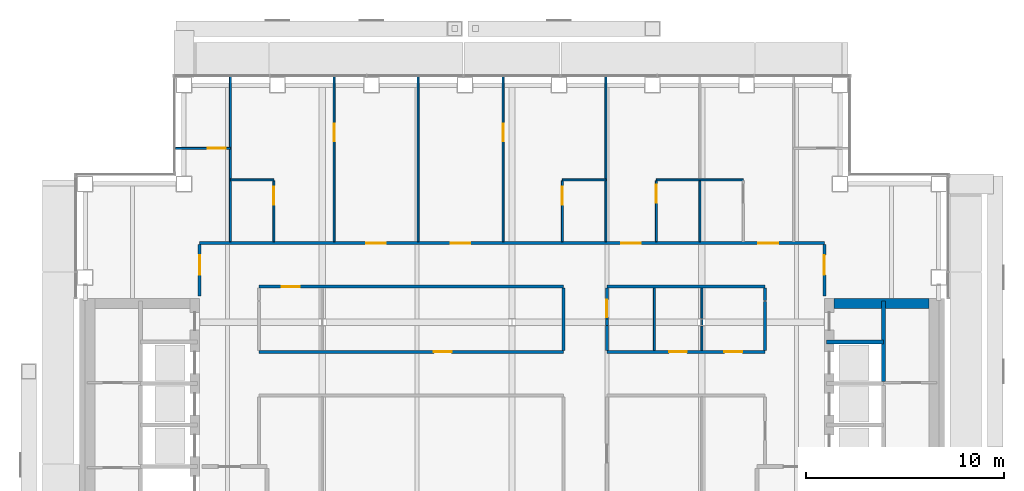
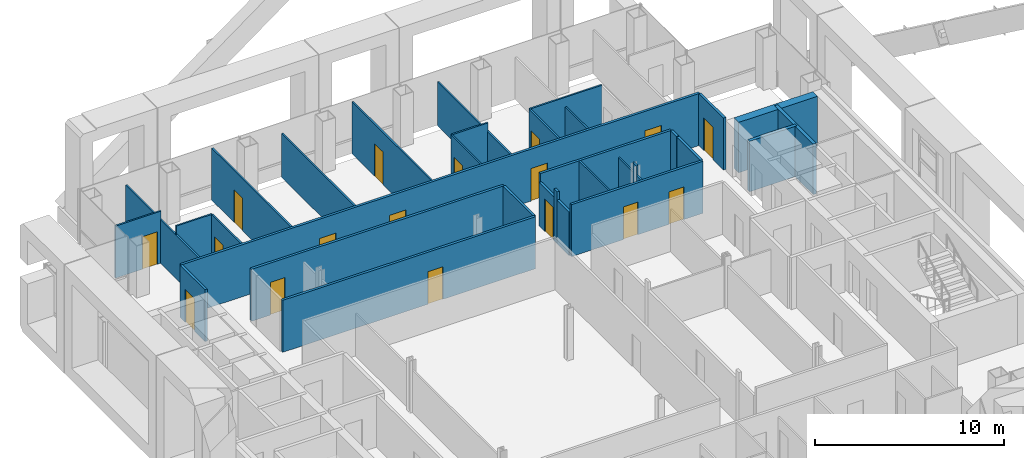
# One storey, part 15 of 22: 33 walls, 17 doors, 17 openings.
"""IFC4 building model written with IfcOpenShell, lengths in metres."""

from ifc_helpers import new_model, si_unit, direction, frame, frame_2d, origin, place, context, subcontext, project, spatial, rectangle, extrude, material, layer, layer_set, type_object, element, fill, save


model = new_model("IFC4")

# Units and contexts
model_context = context("Model", 3, precision=1e-05, world=origin(), true_north=direction((0.0, 1.0)))
body_context = subcontext(model_context, "Body", "Model", "MODEL_VIEW")
ifc_project = project(units=[si_unit("LENGTHUNIT", "METRE"), si_unit("AREAUNIT", "SQUARE_METRE"), si_unit("VOLUMEUNIT", "CUBIC_METRE"), si_unit("PLANEANGLEUNIT", "RADIAN"), si_unit("MASSUNIT", "GRAM", prefix="KILO")], contexts=[model_context])

# Site, building, storey
site_placement = place(None, origin())
site = spatial("IfcSite", under=ifc_project, at=site_placement, CompositionType="ELEMENT")
building_placement = place(site_placement, origin())
building = spatial("IfcBuilding", under=site, at=building_placement, Name="Cobrizo Arcos Hotel Tower", CompositionType="ELEMENT")
storey_placement = place(building_placement, frame((0.0, 0.0, 155.0)))
storey = spatial("IfcBuildingStorey", under=building, at=storey_placement, Name="L39", CompositionType="ELEMENT", Elevation=155.0)

# Wall, opening, door
ifc_material_1 = material(Name="Gypsum board partition")
ifc_layer_1 = layer(ifc_material_1, 0.14990234375)
ifc_layer_set_1 = layer_set([ifc_layer_1], Name="Corridor wall EI 60 150")
wall_type_1 = type_object("IfcWallType", Name="Corridor wall EI 60 150", PredefinedType="PARTITIONING", material=ifc_layer_set_1)
wall_1_placement = place(storey_placement, frame((-12.800048828125, 8.10009765625, 0.0), z_axis=(0.0, 0.0, 1.0), x_axis=(1.0, 0.0, 0.0)))
wall_1 = element("IfcWall", 1, at=wall_1_placement, inside=storey, type_object=wall_type_1, Name="Partition 035", PredefinedType="PARTITIONING", context=body_context, shape_type="SweptSolid", body=[
    extrude(rectangle(XDim=15.400146484375, YDim=0.14990234375, at=frame_2d((7.7001953125, 0.0))), origin(), (0.0, 0.0, 1.0), 3.35009765625),
])
opening_1_placement = place(wall_1_placement, frame((8.85009765625, 0.0, 0.0)))
opening_1 = element("IfcOpeningElement", 2, at=opening_1_placement, cuts=wall_1, Name="Opening RD-16", PredefinedType="OPENING", context=body_context, shape_type="SweptSolid", body=[
    extrude(rectangle(XDim=0.89990234375, YDim=2.10009765625, at=frame_2d((0.449951171875, 1.050048828125))), frame((0.0, 0.0869140625, 0.0), z_axis=(0.0, -1.0, 0.0), x_axis=(1.0, 0.0, 0.0)), (0.0, 0.0, 1.0), 0.173828125),
])
ifc_material_2 = material(Name="Timber door leaf", Category="wood")
door_type_1 = type_object("IfcDoorType", Name="Room door FD30 900x2100", OperationType="SINGLE_SWING_LEFT", PredefinedType="DOOR", material=ifc_material_2)
door_1_placement = place(opening_1_placement, origin())
door_1 = element("IfcDoor", 3, at=door_1_placement, inside=storey, type_object=door_type_1, Name="Door RD-16", OperationType="SINGLE_SWING_LEFT", OverallHeight=2.10009765625, OverallWidth=0.89990234375, PredefinedType="DOOR", context=body_context, shape_type="SweptSolid", body=[
    extrude(rectangle(XDim=0.89990234375, YDim=2.10009765625, at=frame_2d((0.449951171875, 1.050048828125))), frame((0.0, 0.02490234375, 0.0), z_axis=(0.0, -1.0, 0.0), x_axis=(1.0, 0.0, 0.0)), (0.0, 0.0, 1.0), 0.050048828125),
])
fill(opening_1, door_1)

# Wall, openings, doors
wall_2_placement = place(storey_placement, frame((4.800048828125, 8.10009765625, 0.0), z_axis=(0.0, 0.0, 1.0), x_axis=(1.0, 0.0, 0.0)))
wall_2 = element("IfcWall", 4, at=wall_2_placement, inside=storey, type_object=wall_type_1, Name="Partition 036", PredefinedType="PARTITIONING", context=body_context, shape_type="SweptSolid", body=[
    extrude(rectangle(XDim=8.0, YDim=0.14990234375, at=frame_2d((4.0, 0.0))), origin(), (0.0, 0.0, 1.0), 3.35009765625),
])
opening_2_placement = place(wall_2_placement, frame((5.949951171875, 0.0, 0.0)))
opening_2 = element("IfcOpeningElement", 5, at=opening_2_placement, cuts=wall_2, Name="Opening RD-11", PredefinedType="OPENING", context=body_context, shape_type="SweptSolid", body=[
    extrude(rectangle(XDim=0.89990234375, YDim=2.10009765625, at=frame_2d((0.449951171875, 1.050048828125))), frame((0.0, 0.0869140625, 0.0), z_axis=(0.0, -1.0, 0.0), x_axis=(1.0, 0.0, 0.0)), (0.0, 0.0, 1.0), 0.173828125),
])
opening_3_placement = place(wall_2_placement, frame((3.14990234375, 0.0, 0.0)))
opening_3 = element("IfcOpeningElement", 6, at=opening_3_placement, cuts=wall_2, Name="Opening ED-15", PredefinedType="OPENING", context=body_context, shape_type="SweptSolid", body=[
    extrude(rectangle(XDim=0.89990234375, YDim=2.10009765625, at=frame_2d((0.449951171875, 1.050048828125))), frame((0.0, 0.0869140625, 0.0), z_axis=(0.0, -1.0, 0.0), x_axis=(1.0, 0.0, 0.0)), (0.0, 0.0, 1.0), 0.173828125),
])
door_type_2 = type_object("IfcDoorType", Name="En-suite door 900x2100", OperationType="SINGLE_SWING_LEFT", PredefinedType="DOOR", material=ifc_material_2)
door_2_placement = place(opening_3_placement, origin())
door_2 = element("IfcDoor", 7, at=door_2_placement, inside=storey, type_object=door_type_2, Name="Door ED-15", OperationType="SINGLE_SWING_LEFT", OverallHeight=2.10009765625, OverallWidth=0.89990234375, PredefinedType="DOOR", context=body_context, shape_type="SweptSolid", body=[
    extrude(rectangle(XDim=0.89990234375, YDim=2.10009765625, at=frame_2d((0.449951171875, 1.050048828125))), frame((0.0, 0.02490234375, 0.0), z_axis=(0.0, -1.0, 0.0), x_axis=(1.0, 0.0, 0.0)), (0.0, 0.0, 1.0), 0.050048828125),
])
fill(opening_3, door_2)
door_3_placement = place(opening_2_placement, origin())
door_3 = element("IfcDoor", 8, at=door_3_placement, inside=storey, type_object=door_type_1, Name="Door RD-11", OperationType="SINGLE_SWING_LEFT", OverallHeight=2.10009765625, OverallWidth=0.89990234375, PredefinedType="DOOR", context=body_context, shape_type="SweptSolid", body=[
    extrude(rectangle(XDim=0.89990234375, YDim=2.10009765625, at=frame_2d((0.449951171875, 1.050048828125))), frame((0.0, 0.02490234375, 0.0), z_axis=(0.0, -1.0, 0.0), x_axis=(1.0, 0.0, 0.0)), (0.0, 0.0, 1.0), 0.050048828125),
])
fill(opening_2, door_3)

# Wall, opening, door
wall_3_placement = place(storey_placement, frame((-12.800048828125, 11.39990234375, 0.0), z_axis=(0.0, 0.0, 1.0), x_axis=(1.0, 0.0, 0.0)))
wall_3 = element("IfcWall", 9, at=wall_3_placement, inside=storey, type_object=wall_type_1, Name="Partition 039", PredefinedType="PARTITIONING", context=body_context, shape_type="SweptSolid", body=[
    extrude(rectangle(XDim=15.400146484375, YDim=0.14990234375, at=frame_2d((7.7001953125, 0.0))), origin(), (0.0, 0.0, 1.0), 3.35009765625),
])
opening_4_placement = place(wall_3_placement, frame((1.14990234375, 0.0, 0.0)))
opening_4 = element("IfcOpeningElement", 10, at=opening_4_placement, cuts=wall_3, Name="Opening RD-12", PredefinedType="OPENING", context=body_context, shape_type="SweptSolid", body=[
    extrude(rectangle(XDim=0.89990234375, YDim=2.10009765625, at=frame_2d((0.449951171875, 1.050048828125))), frame((0.0, 0.0869140625, 0.0), z_axis=(0.0, -1.0, 0.0), x_axis=(1.0, 0.0, 0.0)), (0.0, 0.0, 1.0), 0.173828125),
])
door_4_placement = place(opening_4_placement, origin())
door_4 = element("IfcDoor", 11, at=door_4_placement, inside=storey, type_object=door_type_1, Name="Door RD-12", OperationType="SINGLE_SWING_LEFT", OverallHeight=2.10009765625, OverallWidth=0.89990234375, PredefinedType="DOOR", context=body_context, shape_type="SweptSolid", body=[
    extrude(rectangle(XDim=0.89990234375, YDim=2.10009765625, at=frame_2d((0.449951171875, 1.050048828125))), frame((0.0, 0.02490234375, 0.0), z_axis=(0.0, -1.0, 0.0), x_axis=(1.0, 0.0, 0.0)), (0.0, 0.0, 1.0), 0.050048828125),
])
fill(opening_4, door_4)

# Wall
wall_4_placement = place(storey_placement, frame((4.800048828125, 11.39990234375, 0.0), z_axis=(0.0, 0.0, 1.0), x_axis=(1.0, 0.0, 0.0)))
element("IfcWall", 12, at=wall_4_placement, inside=storey, type_object=wall_type_1, Name="Partition 040", PredefinedType="PARTITIONING", context=body_context, shape_type="SweptSolid", body=[
    extrude(rectangle(XDim=8.0, YDim=0.14990234375, at=frame_2d((4.0, 0.0))), origin(), (0.0, 0.0, 1.0), 3.35009765625),
])

# Wall, openings, doors
wall_5_placement = place(storey_placement, frame((-15.800048828125, 13.60009765625, 0.0), z_axis=(0.0, 0.0, 1.0), x_axis=(1.0, 0.0, 0.0)))
wall_5 = element("IfcWall", 13, at=wall_5_placement, inside=storey, type_object=wall_type_1, Name="Partition 041", PredefinedType="PARTITIONING", context=body_context, shape_type="SweptSolid", body=[
    extrude(rectangle(XDim=31.60009765625, YDim=0.14990234375, at=frame_2d((15.800048828125, 0.0))), origin(), (0.0, 0.0, 1.0), 3.35009765625),
])
opening_5_placement = place(wall_5_placement, frame((8.422119140625, 0.0, 0.0)))
opening_5 = element("IfcOpeningElement", 14, at=opening_5_placement, cuts=wall_5, Name="Opening GD-01", PredefinedType="OPENING", context=body_context, shape_type="SweptSolid", body=[
    extrude(rectangle(XDim=1.0, YDim=2.10009765625, at=frame_2d((0.5, 1.050048828125))), frame((0.0, 0.0869140625, 0.0), z_axis=(0.0, -1.0, 0.0), x_axis=(1.0, 0.0, 0.0)), (0.0, 0.0, 1.0), 0.173828125),
])
opening_6_placement = place(wall_5_placement, frame((12.69189453125, 0.0, 0.0)))
opening_6 = element("IfcOpeningElement", 15, at=opening_6_placement, cuts=wall_5, Name="Opening GD-02", PredefinedType="OPENING", context=body_context, shape_type="SweptSolid", body=[
    extrude(rectangle(XDim=1.0, YDim=2.10009765625, at=frame_2d((0.5, 1.050048828125))), frame((0.0, 0.0869140625, 0.0), z_axis=(0.0, -1.0, 0.0), x_axis=(1.0, 0.0, 0.0)), (0.0, 0.0, 1.0), 0.173828125),
])
opening_7_placement = place(wall_5_placement, frame((21.31494140625, 0.0, 0.0)))
opening_7 = element("IfcOpeningElement", 16, at=opening_7_placement, cuts=wall_5, Name="Opening GD-03", PredefinedType="OPENING", context=body_context, shape_type="SweptSolid", body=[
    extrude(rectangle(XDim=1.0, YDim=2.10009765625, at=frame_2d((0.5, 1.050048828125))), frame((0.0, 0.0869140625, 0.0), z_axis=(0.0, -1.0, 0.0), x_axis=(1.0, 0.0, 0.0)), (0.0, 0.0, 1.0), 0.173828125),
])
opening_8_placement = place(wall_5_placement, frame((28.258056640625, 0.0, 0.0)))
opening_8 = element("IfcOpeningElement", 17, at=opening_8_placement, cuts=wall_5, Name="Opening GD-04", PredefinedType="OPENING", context=body_context, shape_type="SweptSolid", body=[
    extrude(rectangle(XDim=1.0, YDim=2.10009765625, at=frame_2d((0.5, 1.050048828125))), frame((0.0, 0.0869140625, 0.0), z_axis=(0.0, -1.0, 0.0), x_axis=(1.0, 0.0, 0.0)), (0.0, 0.0, 1.0), 0.173828125),
])
door_type_3 = type_object("IfcDoorType", Name="Guest room door FD30S 1000x2100", OperationType="SINGLE_SWING_LEFT", PredefinedType="DOOR", material=ifc_material_2)
door_5_placement = place(opening_5_placement, origin())
door_5 = element("IfcDoor", 18, at=door_5_placement, inside=storey, type_object=door_type_3, Name="Door GD-01", OperationType="SINGLE_SWING_LEFT", OverallHeight=2.10009765625, OverallWidth=1.0, PredefinedType="DOOR", context=body_context, shape_type="SweptSolid", body=[
    extrude(rectangle(XDim=1.0, YDim=2.10009765625, at=frame_2d((0.5, 1.050048828125))), frame((0.0, 0.02490234375, 0.0), z_axis=(0.0, -1.0, 0.0), x_axis=(1.0, 0.0, 0.0)), (0.0, 0.0, 1.0), 0.050048828125),
])
fill(opening_5, door_5)
door_6_placement = place(opening_6_placement, origin())
door_6 = element("IfcDoor", 19, at=door_6_placement, inside=storey, type_object=door_type_3, Name="Door GD-02", OperationType="SINGLE_SWING_RIGHT", OverallHeight=2.10009765625, OverallWidth=1.0, PredefinedType="DOOR", context=body_context, shape_type="SweptSolid", body=[
    extrude(rectangle(XDim=1.0, YDim=2.10009765625, at=frame_2d((0.5, 1.050048828125))), frame((0.0, 0.02490234375, 0.0), z_axis=(0.0, -1.0, 0.0), x_axis=(1.0, 0.0, 0.0)), (0.0, 0.0, 1.0), 0.050048828125),
])
fill(opening_6, door_6)
door_7_placement = place(opening_7_placement, origin())
door_7 = element("IfcDoor", 20, at=door_7_placement, inside=storey, type_object=door_type_3, Name="Door GD-03", OperationType="SINGLE_SWING_RIGHT", OverallHeight=2.10009765625, OverallWidth=1.0, PredefinedType="DOOR", context=body_context, shape_type="SweptSolid", body=[
    extrude(rectangle(XDim=1.0, YDim=2.10009765625, at=frame_2d((0.5, 1.050048828125))), frame((0.0, 0.02490234375, 0.0), z_axis=(0.0, -1.0, 0.0), x_axis=(1.0, 0.0, 0.0)), (0.0, 0.0, 1.0), 0.050048828125),
])
fill(opening_7, door_7)
door_8_placement = place(opening_8_placement, origin())
door_8 = element("IfcDoor", 21, at=door_8_placement, inside=storey, type_object=door_type_3, Name="Door GD-04", OperationType="SINGLE_SWING_RIGHT", OverallHeight=2.10009765625, OverallWidth=1.0, PredefinedType="DOOR", context=body_context, shape_type="SweptSolid", body=[
    extrude(rectangle(XDim=1.0, YDim=2.10009765625, at=frame_2d((0.5, 1.050048828125))), frame((0.0, 0.02490234375, 0.0), z_axis=(0.0, -1.0, 0.0), x_axis=(1.0, 0.0, 0.0)), (0.0, 0.0, 1.0), 0.050048828125),
])
fill(opening_8, door_8)

# Wall, opening, door
wall_6_placement = place(storey_placement, frame((-15.800048828125, 10.919921875, 0.0), z_axis=(0.0, 0.0, 1.0), x_axis=(0.0, 1.0, 0.0)))
wall_6 = element("IfcWall", 22, at=wall_6_placement, inside=storey, type_object=wall_type_1, Name="Partition 053", PredefinedType="PARTITIONING", context=body_context, shape_type="SweptSolid", body=[
    extrude(rectangle(XDim=2.60498046875, YDim=0.14990234375, at=frame_2d((1.302490234375, 0.0))), origin(), (0.0, 0.0, 1.0), 3.35009765625),
])
opening_9_placement = place(wall_6_placement, frame((1.080078125, 0.0, 0.0)))
opening_9 = element("IfcOpeningElement", 23, at=opening_9_placement, cuts=wall_6, Name="Opening GD-10", PredefinedType="OPENING", context=body_context, shape_type="SweptSolid", body=[
    extrude(rectangle(XDim=1.0, YDim=2.10009765625, at=frame_2d((0.5, 1.050048828125))), frame((0.0, 0.0869140625, 0.0), z_axis=(0.0, -1.0, 0.0), x_axis=(1.0, 0.0, 0.0)), (0.0, 0.0, 1.0), 0.173828125),
])
door_9_placement = place(opening_9_placement, origin())
door_9 = element("IfcDoor", 24, at=door_9_placement, inside=storey, type_object=door_type_3, Name="Door GD-10", OperationType="SINGLE_SWING_LEFT", OverallHeight=2.10009765625, OverallWidth=1.0, PredefinedType="DOOR", context=body_context, shape_type="SweptSolid", body=[
    extrude(rectangle(XDim=1.0, YDim=2.10009765625, at=frame_2d((0.5, 1.050048828125))), frame((0.0, 0.02490234375, 0.0), z_axis=(0.0, -1.0, 0.0), x_axis=(1.0, 0.0, 0.0)), (0.0, 0.0, 1.0), 0.050048828125),
])
fill(opening_9, door_9)

# Walls
wall_7_placement = place(storey_placement, frame((2.60009765625, 8.175048828125, 0.0), z_axis=(0.0, 0.0, 1.0), x_axis=(0.0, 1.0, 0.0)))
element("IfcWall", 25, at=wall_7_placement, inside=storey, type_object=wall_type_1, Name="Partition 080", PredefinedType="PARTITIONING", context=body_context, shape_type="SweptSolid", body=[
    extrude(rectangle(XDim=3.14990234375, YDim=0.14990234375, at=frame_2d((1.574951171875, 0.0))), origin(), (0.0, 0.0, 1.0), 3.35009765625),
])
wall_8_placement = place(storey_placement, frame((4.800048828125, 8.175048828125, 0.0), z_axis=(0.0, 0.0, 1.0), x_axis=(0.0, 1.0, 0.0)))
element("IfcWall", 26, at=wall_8_placement, inside=storey, type_object=wall_type_1, Name="Partition 087", PredefinedType="PARTITIONING", context=body_context, shape_type="SweptSolid", body=[
    extrude(rectangle(XDim=1.260986328125, YDim=0.14990234375, at=frame_2d((0.63037109375, 0.0))), origin(), (0.0, 0.0, 1.0), 2.81689453125),
])
wall_9_placement = place(storey_placement, frame((4.800048828125, 9.43603515625, 0.0), z_axis=(0.0, 0.0, 1.0), x_axis=(0.0, 1.0, 0.0)))
element("IfcWall", 27, at=wall_9_placement, inside=storey, type_object=wall_type_1, Name="Partition 088", PredefinedType="PARTITIONING", context=body_context, shape_type="SweptSolid", body=[
    extrude(rectangle(XDim=0.327880859375, YDim=0.14990234375, at=frame_2d((0.1640625, 0.0))), origin(), (0.0, 0.0, 1.0), 3.35009765625),
])

# Wall, opening, door
wall_10_placement = place(storey_placement, frame((4.800048828125, 9.763916015625, 0.0), z_axis=(0.0, 0.0, 1.0), x_axis=(0.0, 1.0, 0.0)))
wall_10 = element("IfcWall", 28, at=wall_10_placement, inside=storey, type_object=wall_type_1, Name="Partition 089", PredefinedType="PARTITIONING", context=body_context, shape_type="SweptSolid", body=[
    extrude(rectangle(XDim=1.56103515625, YDim=0.14990234375, at=frame_2d((0.780517578125, 0.0))), origin(), (0.0, 0.0, 1.0), 2.81689453125),
])
opening_10_placement = place(wall_10_placement, frame((0.080078125, 0.0, 0.0)))
opening_10 = element("IfcOpeningElement", 29, at=opening_10_placement, cuts=wall_10, Name="Opening ED-14", PredefinedType="OPENING", context=body_context, shape_type="SweptSolid", body=[
    extrude(rectangle(XDim=0.89990234375, YDim=2.10009765625, at=frame_2d((0.449951171875, 1.050048828125))), frame((0.0, 0.0869140625, 0.0), z_axis=(0.0, -1.0, 0.0), x_axis=(1.0, 0.0, 0.0)), (0.0, 0.0, 1.0), 0.173828125),
])
door_10_placement = place(opening_10_placement, origin())
door_10 = element("IfcDoor", 30, at=door_10_placement, inside=storey, type_object=door_type_2, Name="Door ED-14", OperationType="SINGLE_SWING_RIGHT", OverallHeight=2.10009765625, OverallWidth=0.89990234375, PredefinedType="DOOR", context=body_context, shape_type="SweptSolid", body=[
    extrude(rectangle(XDim=0.89990234375, YDim=2.10009765625, at=frame_2d((0.449951171875, 1.050048828125))), frame((0.0, 0.02490234375, 0.0), z_axis=(0.0, -1.0, 0.0), x_axis=(1.0, 0.0, 0.0)), (0.0, 0.0, 1.0), 0.050048828125),
])
fill(opening_10, door_10)

# Walls
wall_11_placement = place(storey_placement, frame((12.800048828125, 8.175048828125, 0.0), z_axis=(0.0, 0.0, 1.0), x_axis=(0.0, 1.0, 0.0)))
element("IfcWall", 31, at=wall_11_placement, inside=storey, type_object=wall_type_1, Name="Partition 108", PredefinedType="PARTITIONING", context=body_context, shape_type="SweptSolid", body=[
    extrude(rectangle(XDim=2.474853515625, YDim=0.14990234375, at=frame_2d((1.2373046875, 0.0))), origin(), (0.0, 0.0, 1.0), 3.35009765625),
])
wall_12_placement = place(storey_placement, frame((12.800048828125, 10.699951171875, 0.0), z_axis=(0.0, 0.0, 1.0), x_axis=(0.0, 1.0, 0.0)))
element("IfcWall", 32, at=wall_12_placement, inside=storey, type_object=wall_type_1, Name="Partition 109", PredefinedType="PARTITIONING", context=body_context, shape_type="SweptSolid", body=[
    extrude(rectangle(XDim=0.625, YDim=0.14990234375, at=frame_2d((0.3125, 0.0))), origin(), (0.0, 0.0, 1.0), 3.35009765625),
])

# Wall, opening, door
wall_13_placement = place(storey_placement, frame((15.800048828125, 10.919921875, 0.0), z_axis=(0.0, 0.0, 1.0), x_axis=(0.0, 1.0, 0.0)))
wall_13 = element("IfcWall", 33, at=wall_13_placement, inside=storey, type_object=wall_type_1, Name="Partition 113", PredefinedType="PARTITIONING", context=body_context, shape_type="SweptSolid", body=[
    extrude(rectangle(XDim=2.60498046875, YDim=0.14990234375, at=frame_2d((1.302490234375, 0.0))), origin(), (0.0, 0.0, 1.0), 3.35009765625),
])
opening_11_placement = place(wall_13_placement, frame((1.080078125, 0.0, 0.0)))
opening_11 = element("IfcOpeningElement", 34, at=opening_11_placement, cuts=wall_13, Name="Opening GD-12", PredefinedType="OPENING", context=body_context, shape_type="SweptSolid", body=[
    extrude(rectangle(XDim=1.0, YDim=2.10009765625, at=frame_2d((0.5, 1.050048828125))), frame((0.0, 0.0869140625, 0.0), z_axis=(0.0, -1.0, 0.0), x_axis=(1.0, 0.0, 0.0)), (0.0, 0.0, 1.0), 0.173828125),
])
door_11_placement = place(opening_11_placement, origin())
door_11 = element("IfcDoor", 35, at=door_11_placement, inside=storey, type_object=door_type_3, Name="Door GD-12", OperationType="SINGLE_SWING_LEFT", OverallHeight=2.10009765625, OverallWidth=1.0, PredefinedType="DOOR", context=body_context, shape_type="SweptSolid", body=[
    extrude(rectangle(XDim=1.0, YDim=2.10009765625, at=frame_2d((0.5, 1.050048828125))), frame((0.0, 0.02490234375, 0.0), z_axis=(0.0, -1.0, 0.0), x_axis=(1.0, 0.0, 0.0)), (0.0, 0.0, 1.0), 0.050048828125),
])
fill(opening_11, door_11)

# Walls
ifc_layer_2 = layer(ifc_material_1, 0.10009765625)
ifc_layer_set_2 = layer_set([ifc_layer_2], Name="Partition EI 30 100")
wall_type_2 = type_object("IfcWallType", Name="Partition EI 30 100", PredefinedType="PARTITIONING", material=ifc_layer_set_2)
for number, where, z_axis, x_axis, name in (
    (36, (-14.25, 16.800048828125, 0.0), (0.0, 0.0, 1.0), (1.0, 0.0, 0.0), "Partition 042"),
    (37, (2.550048828125, 16.800048828125, 0.0), (0.0, 0.0, 1.0), (1.0, 0.0, 0.0), "Partition 043"),
):
    element("IfcWall", number, at=place(storey_placement, frame(where, z_axis=z_axis, x_axis=x_axis)), inside=storey, type_object=wall_type_2, Name=name, PredefinedType="PARTITIONING", context=body_context, shape_type="SweptSolid", body=[
        extrude(rectangle(XDim=2.199951171875, YDim=0.10009765625, at=frame_2d((1.10009765625, 0.0))), origin(), (0.0, 0.0, 1.0), 3.35009765625),
    ])
wall_14_placement = place(storey_placement, frame((7.300048828125, 16.800048828125, 0.0), z_axis=(0.0, 0.0, 1.0), x_axis=(1.0, 0.0, 0.0)))
element("IfcWall", 38, at=wall_14_placement, inside=storey, type_object=wall_type_2, Name="Partition 044", PredefinedType="PARTITIONING", context=body_context, shape_type="SweptSolid", body=[
    extrude(rectangle(XDim=4.39990234375, YDim=0.10009765625, at=frame_2d((2.199951171875, 0.0))), origin(), (0.0, 0.0, 1.0), 3.35009765625),
])

# Wall, opening, door
wall_15_placement = place(storey_placement, frame((-17.030029296875, 18.39990234375, 0.0), z_axis=(0.0, 0.0, 1.0), x_axis=(1.0, 0.0, 0.0)))
wall_15 = element("IfcWall", 39, at=wall_15_placement, inside=storey, type_object=wall_type_2, Name="Partition 045", PredefinedType="PARTITIONING", context=body_context, shape_type="SweptSolid", body=[
    extrude(rectangle(XDim=2.780029296875, YDim=0.10009765625, at=frame_2d((1.39013671875, 0.0))), origin(), (0.0, 0.0, 1.0), 3.35009765625),
])
opening_12_placement = place(wall_15_placement, frame((1.639892578125, 0.0, 0.0)))
opening_12 = element("IfcOpeningElement", 40, at=opening_12_placement, cuts=wall_15, Name="Opening ED-11", PredefinedType="OPENING", context=body_context, shape_type="SweptSolid", body=[
    extrude(rectangle(XDim=0.89990234375, YDim=2.10009765625, at=frame_2d((0.449951171875, 1.050048828125))), frame((0.0, 0.06201171875, 0.0), z_axis=(0.0, -1.0, 0.0), x_axis=(1.0, 0.0, 0.0)), (0.0, 0.0, 1.0), 0.1240234375),
])
door_12_placement = place(opening_12_placement, origin())
door_12 = element("IfcDoor", 41, at=door_12_placement, inside=storey, type_object=door_type_2, Name="Door ED-11", OperationType="SINGLE_SWING_RIGHT", OverallHeight=2.10009765625, OverallWidth=0.89990234375, PredefinedType="DOOR", context=body_context, shape_type="SweptSolid", body=[
    extrude(rectangle(XDim=0.89990234375, YDim=2.10009765625, at=frame_2d((0.449951171875, 1.050048828125))), frame((0.0, 0.02490234375, 0.0), z_axis=(0.0, -1.0, 0.0), x_axis=(1.0, 0.0, 0.0)), (0.0, 0.0, 1.0), 0.050048828125),
])
fill(opening_12, door_12)

# Wall
wall_16_placement = place(storey_placement, frame((-14.25, 13.675048828125, 0.0), z_axis=(0.0, 0.0, 1.0), x_axis=(0.0, 1.0, 0.0)))
element("IfcWall", 42, at=wall_16_placement, inside=storey, type_object=wall_type_2, Name="Partition 055", PredefinedType="PARTITIONING", context=body_context, shape_type="SweptSolid", body=[
    extrude(rectangle(XDim=8.35498046875, YDim=0.10009765625, at=frame_2d((4.177490234375, 0.0))), origin(), (0.0, 0.0, 1.0), 2.81689453125),
])

# Wall, opening, door
wall_17_placement = place(storey_placement, frame((-12.050048828125, 13.675048828125, 0.0), z_axis=(0.0, 0.0, 1.0), x_axis=(0.0, 1.0, 0.0)))
wall_17 = element("IfcWall", 43, at=wall_17_placement, inside=storey, type_object=wall_type_2, Name="Partition 061", PredefinedType="PARTITIONING", context=body_context, shape_type="SweptSolid", body=[
    extrude(rectangle(XDim=3.074951171875, YDim=0.10009765625, at=frame_2d((1.53759765625, 0.0))), origin(), (0.0, 0.0, 1.0), 3.35009765625),
])
opening_13_placement = place(wall_17_placement, frame((1.875, 0.0, 0.0)))
opening_13 = element("IfcOpeningElement", 44, at=opening_13_placement, cuts=wall_17, Name="Opening ED-02", PredefinedType="OPENING", context=body_context, shape_type="SweptSolid", body=[
    extrude(rectangle(XDim=0.89990234375, YDim=2.10009765625, at=frame_2d((0.449951171875, 1.050048828125))), frame((0.0, 0.06201171875, 0.0), z_axis=(0.0, -1.0, 0.0), x_axis=(1.0, 0.0, 0.0)), (0.0, 0.0, 1.0), 0.1240234375),
])
door_13_placement = place(opening_13_placement, origin())
door_13 = element("IfcDoor", 45, at=door_13_placement, inside=storey, type_object=door_type_2, Name="Door ED-02", OperationType="SINGLE_SWING_RIGHT", OverallHeight=2.10009765625, OverallWidth=0.89990234375, PredefinedType="DOOR", context=body_context, shape_type="SweptSolid", body=[
    extrude(rectangle(XDim=0.89990234375, YDim=2.10009765625, at=frame_2d((0.449951171875, 1.050048828125))), frame((0.0, 0.02490234375, 0.0), z_axis=(0.0, -1.0, 0.0), x_axis=(1.0, 0.0, 0.0)), (0.0, 0.0, 1.0), 0.050048828125),
])
fill(opening_13, door_13)

wall_18_placement = place(storey_placement, frame((-9.0, 13.675048828125, 0.0), z_axis=(0.0, 0.0, 1.0), x_axis=(0.0, 1.0, 0.0)))
wall_18 = element("IfcWall", 46, at=wall_18_placement, inside=storey, type_object=wall_type_2, Name="Partition 071", PredefinedType="PARTITIONING", context=body_context, shape_type="SweptSolid", body=[
    extrude(rectangle(XDim=8.35498046875, YDim=0.10009765625, at=frame_2d((4.177490234375, 0.0))), origin(), (0.0, 0.0, 1.0), 3.35009765625),
])
opening_14_placement = place(wall_18_placement, frame((5.074951171875, 0.0, 0.0)))
opening_14 = element("IfcOpeningElement", 47, at=opening_14_placement, cuts=wall_18, Name="Opening RD-08", PredefinedType="OPENING", context=body_context, shape_type="SweptSolid", body=[
    extrude(rectangle(XDim=0.89990234375, YDim=2.10009765625, at=frame_2d((0.449951171875, 1.050048828125))), frame((0.0, 0.06201171875, 0.0), z_axis=(0.0, -1.0, 0.0), x_axis=(1.0, 0.0, 0.0)), (0.0, 0.0, 1.0), 0.1240234375),
])
door_14_placement = place(opening_14_placement, origin())
door_14 = element("IfcDoor", 48, at=door_14_placement, inside=storey, type_object=door_type_1, Name="Door RD-08", OperationType="SINGLE_SWING_RIGHT", OverallHeight=2.10009765625, OverallWidth=0.89990234375, PredefinedType="DOOR", context=body_context, shape_type="SweptSolid", body=[
    extrude(rectangle(XDim=0.89990234375, YDim=2.10009765625, at=frame_2d((0.449951171875, 1.050048828125))), frame((0.0, 0.02490234375, 0.0), z_axis=(0.0, -1.0, 0.0), x_axis=(1.0, 0.0, 0.0)), (0.0, 0.0, 1.0), 0.050048828125),
])
fill(opening_14, door_14)

# Wall
wall_19_placement = place(storey_placement, frame((-4.75, 13.675048828125, 0.0), z_axis=(0.0, 0.0, 1.0), x_axis=(0.0, 1.0, 0.0)))
element("IfcWall", 49, at=wall_19_placement, inside=storey, type_object=wall_type_2, Name="Partition 074", PredefinedType="PARTITIONING", context=body_context, shape_type="SweptSolid", body=[
    extrude(rectangle(XDim=8.35498046875, YDim=0.10009765625, at=frame_2d((4.177490234375, 0.0))), origin(), (0.0, 0.0, 1.0), 2.81689453125),
])

# Wall, opening, door
wall_20_placement = place(storey_placement, frame((-0.449951171875, 13.675048828125, 0.0), z_axis=(0.0, 0.0, 1.0), x_axis=(0.0, 1.0, 0.0)))
wall_20 = element("IfcWall", 50, at=wall_20_placement, inside=storey, type_object=wall_type_2, Name="Partition 075", PredefinedType="PARTITIONING", context=body_context, shape_type="SweptSolid", body=[
    extrude(rectangle(XDim=8.35498046875, YDim=0.10009765625, at=frame_2d((4.177490234375, 0.0))), origin(), (0.0, 0.0, 1.0), 3.35009765625),
])
opening_15_placement = place(wall_20_placement, frame((5.074951171875, 0.0, 0.0)))
opening_15 = element("IfcOpeningElement", 51, at=opening_15_placement, cuts=wall_20, Name="Opening RD-09", PredefinedType="OPENING", context=body_context, shape_type="SweptSolid", body=[
    extrude(rectangle(XDim=0.89990234375, YDim=2.10009765625, at=frame_2d((0.449951171875, 1.050048828125))), frame((0.0, 0.06201171875, 0.0), z_axis=(0.0, -1.0, 0.0), x_axis=(1.0, 0.0, 0.0)), (0.0, 0.0, 1.0), 0.1240234375),
])
door_15_placement = place(opening_15_placement, origin())
door_15 = element("IfcDoor", 52, at=door_15_placement, inside=storey, type_object=door_type_1, Name="Door RD-09", OperationType="SINGLE_SWING_LEFT", OverallHeight=2.10009765625, OverallWidth=0.89990234375, PredefinedType="DOOR", context=body_context, shape_type="SweptSolid", body=[
    extrude(rectangle(XDim=0.89990234375, YDim=2.10009765625, at=frame_2d((0.449951171875, 1.050048828125))), frame((0.0, 0.02490234375, 0.0), z_axis=(0.0, -1.0, 0.0), x_axis=(1.0, 0.0, 0.0)), (0.0, 0.0, 1.0), 0.050048828125),
])
fill(opening_15, door_15)

wall_21_placement = place(storey_placement, frame((2.550048828125, 13.675048828125, 0.0), z_axis=(0.0, 0.0, 1.0), x_axis=(0.0, 1.0, 0.0)))
wall_21 = element("IfcWall", 53, at=wall_21_placement, inside=storey, type_object=wall_type_2, Name="Partition 078", PredefinedType="PARTITIONING", context=body_context, shape_type="SweptSolid", body=[
    extrude(rectangle(XDim=3.074951171875, YDim=0.10009765625, at=frame_2d((1.53759765625, 0.0))), origin(), (0.0, 0.0, 1.0), 3.35009765625),
])
opening_16_placement = place(wall_21_placement, frame((1.875, 0.0, 0.0)))
opening_16 = element("IfcOpeningElement", 54, at=opening_16_placement, cuts=wall_21, Name="Opening ED-03", PredefinedType="OPENING", context=body_context, shape_type="SweptSolid", body=[
    extrude(rectangle(XDim=0.89990234375, YDim=2.10009765625, at=frame_2d((0.449951171875, 1.050048828125))), frame((0.0, 0.06201171875, 0.0), z_axis=(0.0, -1.0, 0.0), x_axis=(1.0, 0.0, 0.0)), (0.0, 0.0, 1.0), 0.1240234375),
])
door_16_placement = place(opening_16_placement, origin())
door_16 = element("IfcDoor", 55, at=door_16_placement, inside=storey, type_object=door_type_2, Name="Door ED-03", OperationType="SINGLE_SWING_LEFT", OverallHeight=2.10009765625, OverallWidth=0.89990234375, PredefinedType="DOOR", context=body_context, shape_type="SweptSolid", body=[
    extrude(rectangle(XDim=0.89990234375, YDim=2.10009765625, at=frame_2d((0.449951171875, 1.050048828125))), frame((0.0, 0.02490234375, 0.0), z_axis=(0.0, -1.0, 0.0), x_axis=(1.0, 0.0, 0.0)), (0.0, 0.0, 1.0), 0.050048828125),
])
fill(opening_16, door_16)

# Walls
wall_22_placement = place(storey_placement, frame((4.75, 13.675048828125, 0.0), z_axis=(0.0, 0.0, 1.0), x_axis=(0.0, 1.0, 0.0)))
element("IfcWall", 56, at=wall_22_placement, inside=storey, type_object=wall_type_2, Name="Partition 081", PredefinedType="PARTITIONING", context=body_context, shape_type="SweptSolid", body=[
    extrude(rectangle(XDim=8.35498046875, YDim=0.10009765625, at=frame_2d((4.177490234375, 0.0))), origin(), (0.0, 0.0, 1.0), 2.81689453125),
])
wall_23_placement = place(storey_placement, frame((7.199951171875, 8.175048828125, 0.0), z_axis=(0.0, 0.0, 1.0), x_axis=(0.0, 1.0, 0.0)))
element("IfcWall", 57, at=wall_23_placement, inside=storey, type_object=wall_type_2, Name="Partition 092", PredefinedType="PARTITIONING", context=body_context, shape_type="SweptSolid", body=[
    extrude(rectangle(XDim=3.14990234375, YDim=0.10009765625, at=frame_2d((1.574951171875, 0.0))), origin(), (0.0, 0.0, 1.0), 3.35009765625),
])

# Wall, opening, door
wall_24_placement = place(storey_placement, frame((7.300048828125, 13.675048828125, 0.0), z_axis=(0.0, 0.0, 1.0), x_axis=(0.0, 1.0, 0.0)))
wall_24 = element("IfcWall", 58, at=wall_24_placement, inside=storey, type_object=wall_type_2, Name="Partition 093", PredefinedType="PARTITIONING", context=body_context, shape_type="SweptSolid", body=[
    extrude(rectangle(XDim=3.074951171875, YDim=0.10009765625, at=frame_2d((1.53759765625, 0.0))), origin(), (0.0, 0.0, 1.0), 3.35009765625),
])
opening_17_placement = place(wall_24_placement, frame((1.970947265625, 0.0, 0.0)))
opening_17 = element("IfcOpeningElement", 59, at=opening_17_placement, cuts=wall_24, Name="Opening ED-04", PredefinedType="OPENING", context=body_context, shape_type="SweptSolid", body=[
    extrude(rectangle(XDim=0.89990234375, YDim=2.10009765625, at=frame_2d((0.449951171875, 1.050048828125))), frame((0.0, 0.06201171875, 0.0), z_axis=(0.0, -1.0, 0.0), x_axis=(1.0, 0.0, 0.0)), (0.0, 0.0, 1.0), 0.1240234375),
])
door_17_placement = place(opening_17_placement, origin())
door_17 = element("IfcDoor", 60, at=door_17_placement, inside=storey, type_object=door_type_2, Name="Door ED-04", OperationType="SINGLE_SWING_RIGHT", OverallHeight=2.10009765625, OverallWidth=0.89990234375, PredefinedType="DOOR", context=body_context, shape_type="SweptSolid", body=[
    extrude(rectangle(XDim=0.89990234375, YDim=2.10009765625, at=frame_2d((0.449951171875, 1.050048828125))), frame((0.0, 0.02490234375, 0.0), z_axis=(0.0, -1.0, 0.0), x_axis=(1.0, 0.0, 0.0)), (0.0, 0.0, 1.0), 0.050048828125),
])
fill(opening_17, door_17)

# Walls
wall_25_placement = place(storey_placement, frame((9.5, 13.675048828125, 0.0), z_axis=(0.0, 0.0, 1.0), x_axis=(0.0, 1.0, 0.0)))
element("IfcWall", 61, at=wall_25_placement, inside=storey, type_object=wall_type_2, Name="Partition 094", PredefinedType="PARTITIONING", context=body_context, shape_type="SweptSolid", body=[
    extrude(rectangle(XDim=3.074951171875, YDim=0.10009765625, at=frame_2d((1.53759765625, 0.0))), origin(), (0.0, 0.0, 1.0), 2.72802734375),
])
wall_26_placement = place(storey_placement, frame((9.60009765625, 8.175048828125, 0.0), z_axis=(0.0, 0.0, 1.0), x_axis=(0.0, 1.0, 0.0)))
element("IfcWall", 62, at=wall_26_placement, inside=storey, type_object=wall_type_2, Name="Partition 100", PredefinedType="PARTITIONING", context=body_context, shape_type="SweptSolid", body=[
    extrude(rectangle(XDim=1.238037109375, YDim=0.10009765625, at=frame_2d((0.619140625, 0.0))), origin(), (0.0, 0.0, 1.0), 2.72802734375),
])
wall_27_placement = place(storey_placement, frame((9.60009765625, 9.4130859375, 0.0), z_axis=(0.0, 0.0, 1.0), x_axis=(0.0, 1.0, 0.0)))
element("IfcWall", 63, at=wall_27_placement, inside=storey, type_object=wall_type_2, Name="Partition 101", PredefinedType="PARTITIONING", context=body_context, shape_type="SweptSolid", body=[
    extrude(rectangle(XDim=0.3740234375, YDim=0.10009765625, at=frame_2d((0.18701171875, 0.0))), origin(), (0.0, 0.0, 1.0), 3.35009765625),
])
wall_28_placement = place(storey_placement, frame((9.60009765625, 9.787109375, 0.0), z_axis=(0.0, 0.0, 1.0), x_axis=(0.0, 1.0, 0.0)))
element("IfcWall", 64, at=wall_28_placement, inside=storey, type_object=wall_type_2, Name="Partition 102", PredefinedType="PARTITIONING", context=body_context, shape_type="SweptSolid", body=[
    extrude(rectangle(XDim=1.537841796875, YDim=0.10009765625, at=frame_2d((0.76904296875, 0.0))), origin(), (0.0, 0.0, 1.0), 2.72802734375),
])
ifc_material_3 = material(Name="Concrete f'c 50 MPa", Category="concrete")
ifc_layer_3 = layer(ifc_material_3, 0.5)
ifc_layer_set_3 = layer_set([ifc_layer_3], Name="RC core wall 500 f'c 50")
wall_type_3 = type_object("IfcWallType", Name="RC core wall 500 f'c 50", PredefinedType="SHEAR", material=ifc_layer_set_3)
wall_29_placement = place(storey_placement, frame((16.300048828125, 10.550048828125, 0.0), z_axis=(0.0, 0.0, 1.0), x_axis=(1.0, 0.0, 0.0)))
element("IfcWall", 65, at=wall_29_placement, inside=storey, type_object=wall_type_3, Name="Core wall CW3, east core, north end, L39", PredefinedType="SHEAR", context=body_context, shape_type="SweptSolid", body=[
    extrude(rectangle(XDim=4.800048828125, YDim=0.5, at=frame_2d((2.39990234375, 0.0))), origin(), (0.0, 0.0, 1.0), 3.25),
])
ifc_layer_4 = layer(ifc_material_1, 0.199951171875)
ifc_layer_set_4 = layer_set([ifc_layer_4], Name="Shaft wall EI 120 200")
wall_type_4 = type_object("IfcWallType", Name="Shaft wall EI 120 200", PredefinedType="PARTITIONING", material=ifc_layer_set_4)
wall_30_placement = place(storey_placement, frame((15.919921875, 8.60009765625, 0.0), z_axis=(0.0, 0.0, 1.0), x_axis=(1.0, 0.0, 0.0)))
element("IfcWall", 66, at=wall_30_placement, inside=storey, type_object=wall_type_4, Name="Partition 038", PredefinedType="PARTITIONING", context=body_context, shape_type="SweptSolid", body=[
    extrude(rectangle(XDim=2.880126953125, YDim=0.199951171875, at=frame_2d((1.43994140625, 0.0))), origin(), (0.0, 0.0, 1.0), 3.25),
])
wall_31_placement = place(storey_placement, frame((18.800048828125, 6.60009765625, 0.0), z_axis=(0.0, 0.0, 1.0), x_axis=(0.0, 1.0, 0.0)))
element("IfcWall", 67, at=wall_31_placement, inside=storey, type_object=wall_type_4, Name="Partition 116", PredefinedType="PARTITIONING", context=body_context, shape_type="SweptSolid", body=[
    extrude(rectangle(XDim=4.079833984375, YDim=0.199951171875, at=frame_2d((2.0400390625, 0.0))), origin(), (0.0, 0.0, 1.0), 3.25),
])

save(model, "model.ifc")
